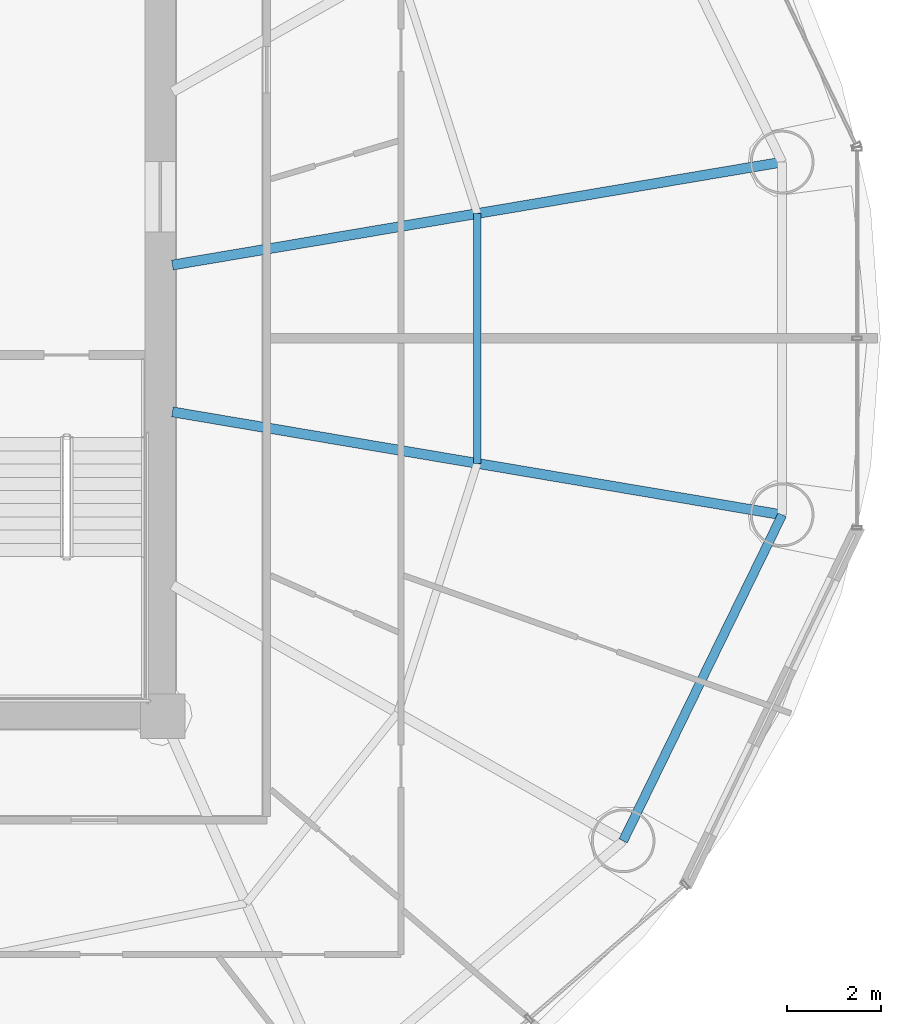
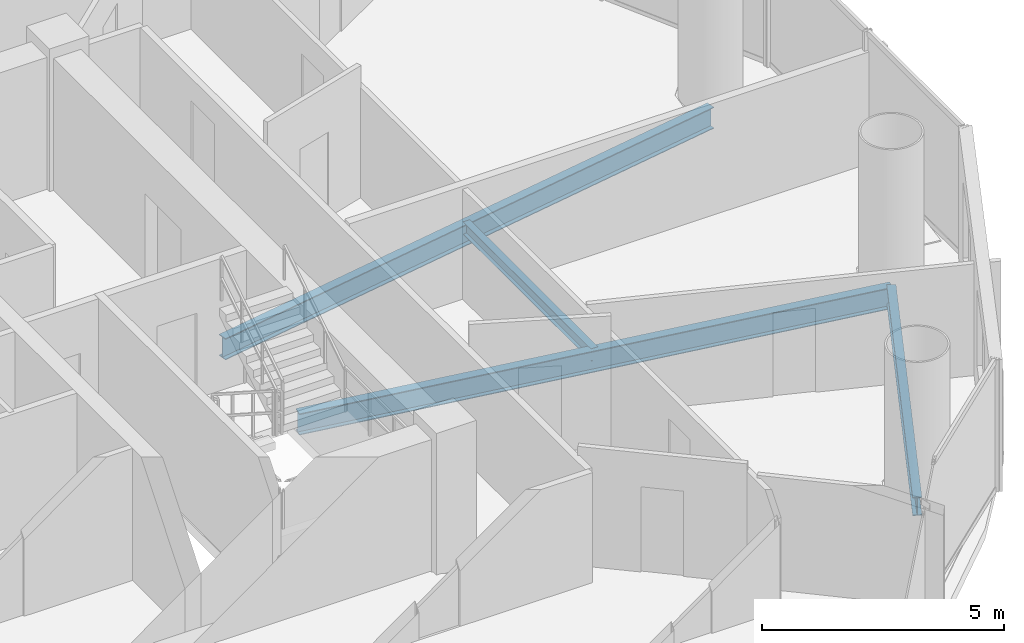
# One storey, part 11 of 27: 4 beams.
"""IFC4 building model written with IfcOpenShell, lengths in metres."""

from ifc_helpers import new_model, si_unit, direction, frame, origin, origin_2d, place, context, subcontext, project, spatial, i_section, extrude, material, material_profile, profile_set, type_object, element, save


model = new_model("IFC4")

# Units and contexts
model_context = context("Model", 3, precision=1e-05, world=origin(), true_north=direction((-0.2419218956, 0.970295726276)))
body_context = subcontext(model_context, "Body", "Model", "MODEL_VIEW")
ifc_project = project(units=[si_unit("LENGTHUNIT", "METRE"), si_unit("AREAUNIT", "SQUARE_METRE"), si_unit("VOLUMEUNIT", "CUBIC_METRE"), si_unit("PLANEANGLEUNIT", "RADIAN"), si_unit("MASSUNIT", "GRAM", prefix="KILO")], contexts=[model_context])

# Site, building, storey
site_placement = place(None, origin())
site = spatial("IfcSite", under=ifc_project, at=site_placement, CompositionType="ELEMENT")
building_placement = place(site_placement, origin())
building = spatial("IfcBuilding", under=site, at=building_placement, Name="Cobrevalo Terracotta Tower", CompositionType="ELEMENT")
storey_placement = place(building_placement, frame((0.0, 0.0, 164.199951171875)))
storey = spatial("IfcBuildingStorey", under=building, at=storey_placement, Name="L43", CompositionType="ELEMENT", Elevation=164.199951171875)

# Beams
ifc_material = material(Name="Steel S355", Category="steel")
ifc_material_profile_1 = material_profile(ifc_material, i_section(OverallWidth=0.2109375, OverallDepth=0.5390625, WebThickness=0.01171875, FlangeThickness=0.018798828125, at=origin_2d()), Name="W 530x109")
ifc_profile_set_1 = profile_set([ifc_material_profile_1], Name="Steel S355")
beam_type_1 = type_object("IfcBeamType", Name="Structural Beam W 530x109 (Steel S355)", PredefinedType="BEAM", material=ifc_profile_set_1)
for number, where, z_axis, x_axis, name in (
    (1, (60.11669921875, 30.535888671875, -0.53955078125), (-0.986032794282, -0.166551279191, 0.0), (0.166551279191, -0.986032794282, 0.0), "L43 radial floor girder 01"),
    (2, (60.11669921875, 23.06396484375, -0.53955078125), (-0.986029732232, 0.166569406417, 0.0), (-0.166569406417, -0.986029732232, 0.0), "L43 radial floor girder 16"),
):
    element("IfcBeam", number, at=place(storey_placement, frame(where, z_axis=z_axis, x_axis=x_axis)), inside=storey, type_object=beam_type_1, Name=name, PredefinedType="BEAM", context=body_context, shape_type="SweptSolid", body=[
        extrude(i_section(OverallWidth=0.2109375, OverallDepth=0.5390625, WebThickness=0.01171875, FlangeThickness=0.018798828125, at=origin_2d()), origin(), (0.0, 0.0, 1.0), 13.094482421875),
    ])
ifc_material_profile_2 = material_profile(ifc_material, i_section(OverallWidth=0.1650390625, OverallDepth=0.31005859375, WebThickness=0.005859375, FlangeThickness=0.009765625, at=origin_2d()), Name="W 310x38.7")
ifc_profile_set_2 = profile_set([ifc_material_profile_2], Name="Steel S355")
beam_type_2 = type_object("IfcBeamType", Name="Structural Joist W 310x38.7 (Steel S355)", PredefinedType="JOIST", material=ifc_profile_set_2)
beam_1_placement = place(storey_placement, frame((53.660888671875, 24.154541015625, -0.425048828125), z_axis=(0.0, 1.0, 0.0), x_axis=(-1.0, 0.0, 0.0)))
element("IfcBeam", 3, at=beam_1_placement, inside=storey, type_object=beam_type_2, Name="L43 circumferential secondary floor joist 16", PredefinedType="JOIST", context=body_context, shape_type="SweptSolid", body=[
    extrude(i_section(OverallWidth=0.1650390625, OverallDepth=0.31005859375, WebThickness=0.005859375, FlangeThickness=0.009765625, at=origin_2d()), origin(), (0.0, 0.0, 1.0), 5.291015625),
])
ifc_material_profile_3 = material_profile(ifc_material, i_section(OverallWidth=0.194091796875, OverallDepth=0.468994140625, WebThickness=0.011474609375, FlangeThickness=0.0205078125, at=origin_2d()), Name="W 460x106")
ifc_profile_set_3 = profile_set([ifc_material_profile_3], Name="Steel S355")
beam_type_3 = type_object("IfcBeamType", Name="Structural Spandrel W 460x106 (Steel S355)", PredefinedType="SPANDREL", material=ifc_profile_set_3)
beam_2_placement = place(storey_placement, frame((56.749755859375, 16.160888671875, -0.50439453125), z_axis=(0.438380418332, 0.898789524206, 0.0), x_axis=(-0.898789524206, 0.438380418332, 0.0)))
element("IfcBeam", 4, at=beam_2_placement, inside=storey, type_object=beam_type_3, Name="L43 perimeter ring spandrel 15", PredefinedType="SPANDREL", context=body_context, shape_type="SweptSolid", body=[
    extrude(i_section(OverallWidth=0.194091796875, OverallDepth=0.468994140625, WebThickness=0.011474609375, FlangeThickness=0.0205078125, at=origin_2d()), origin(), (0.0, 0.0, 1.0), 7.680419921875),
])

save(model, "model.ifc")
